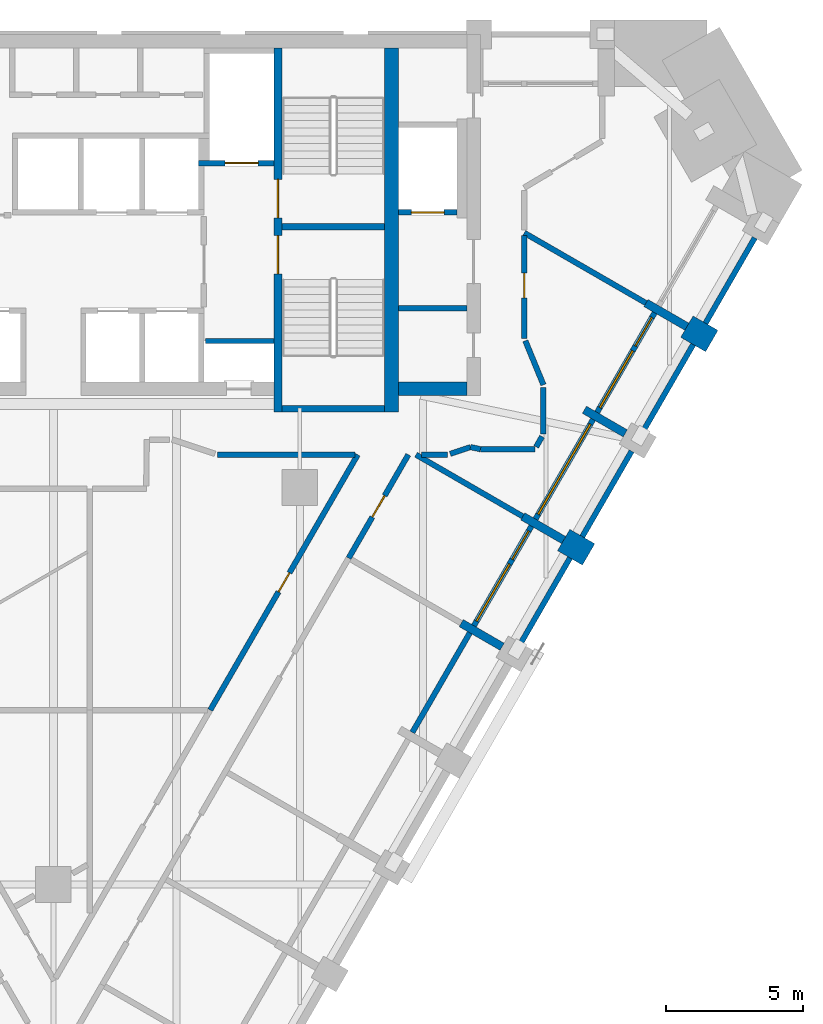
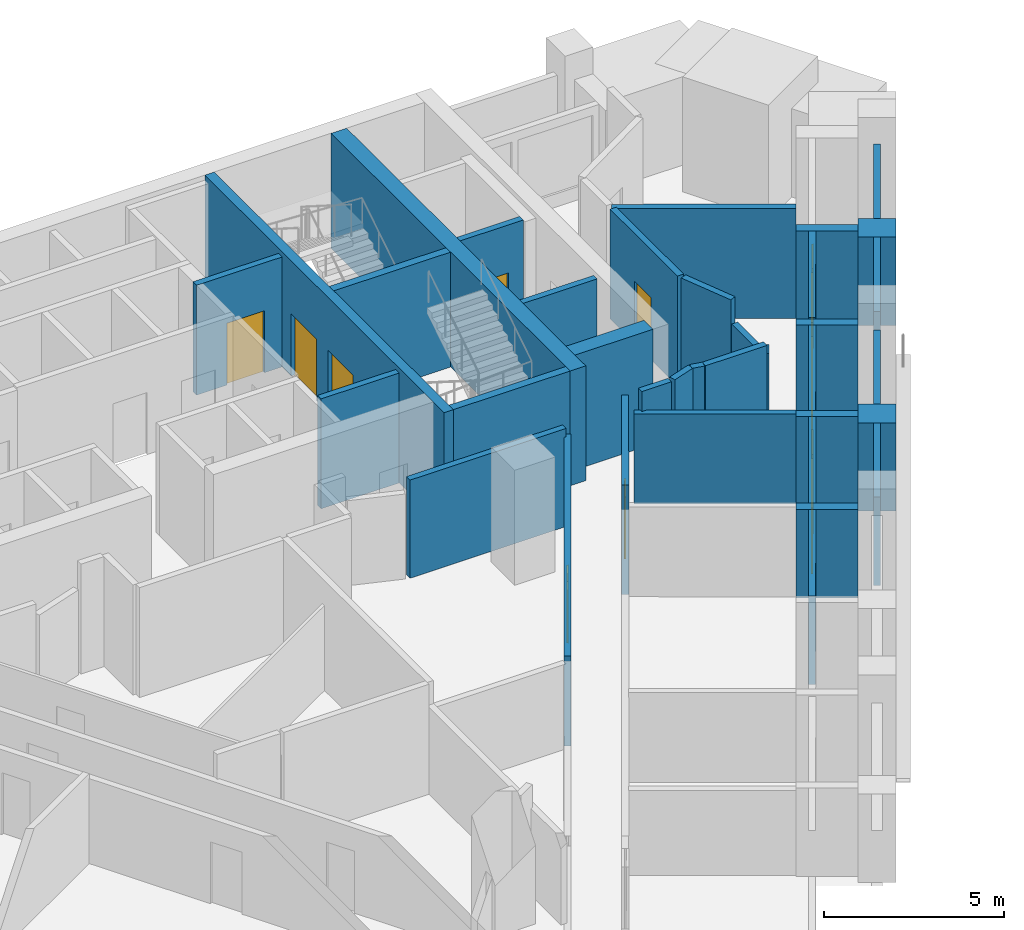
# One storey, part 7 of 10: 36 walls, 9 doors, 3 windows, 12 openings.
"""IFC4 building model written with IfcOpenShell, lengths in metres."""

from ifc_helpers import new_model, si_unit, direction, frame, frame_2d, origin, place, context, subcontext, project, spatial, polyline, rectangle, outline, extrude, material, layer, layer_set, type_object, element, fill, save


model = new_model("IFC4")

# Units and contexts
model_context = context("Model", 3, precision=1e-05, world=origin(), true_north=direction((0.0, 1.0)))
body_context = subcontext(model_context, "Body", "Model", "MODEL_VIEW")
ifc_project = project(units=[si_unit("LENGTHUNIT", "METRE"), si_unit("AREAUNIT", "SQUARE_METRE"), si_unit("VOLUMEUNIT", "CUBIC_METRE"), si_unit("PLANEANGLEUNIT", "RADIAN"), si_unit("MASSUNIT", "GRAM", prefix="KILO")], contexts=[model_context])

# Site, building, storey
site_placement = place(None, origin())
site = spatial("IfcSite", under=ifc_project, at=site_placement, CompositionType="ELEMENT")
building_placement = place(site_placement, origin())
building = spatial("IfcBuilding", under=site, at=building_placement, Name="Calabash Gate Tower", CompositionType="ELEMENT")
storey_placement = place(building_placement, frame((0.0, 0.0, 152.39990234375)))
storey = spatial("IfcBuildingStorey", under=building, at=storey_placement, Name="L35", CompositionType="ELEMENT", Elevation=152.39990234375)

# Walls
ifc_material_1 = material(Name="Terracotta brick masonry, exposed face", Category="masonry")
ifc_layer_1 = layer(ifc_material_1, 1.050048828125)
ifc_layer_set_1 = layer_set([ifc_layer_1], Name="Brick end wall 1050")
wall_type_1 = type_object("IfcWallType", Name="Brick end wall 1050", PredefinedType="SOLIDWALL", material=ifc_layer_set_1)
for number, where, z_axis, x_axis, name in (
    (1, (19.55029296875, 0.05615234375, 0.0), (0.0, 0.0, 1.0), (-0.865988129768, 0.500064554934, 0.0), "Brick pier S09 SE4.5"),
    (2, (23.140869140625, 8.37548828125, 0.0), (0.0, 0.0, 1.0), (0.866088799389, -0.499890179513, 0.0), "Brick pier S09 SE4.7"),
):
    element("IfcWall", number, at=place(storey_placement, frame(where, z_axis=z_axis, x_axis=x_axis)), inside=storey, type_object=wall_type_1, Name=name, PredefinedType="SOLIDWALL", context=body_context, shape_type="SweptSolid", body=[
        extrude(rectangle(XDim=1.050048828125, YDim=0.89990234375, at=frame_2d((0.52490234375, 0.0))), origin(), (0.0, 0.0, 1.0), 3.0),
    ])
ifc_material_2 = material(Name="Terracotta brick masonry, exposed face", Category="masonry")
ifc_layer_2 = layer(ifc_material_2, 0.300048828125)
ifc_layer_set_2 = layer_set([ifc_layer_2], Name="Brick loggia cheek wall 300")
wall_type_2 = type_object("IfcWallType", Name="Brick loggia cheek wall 300", PredefinedType="SOLIDWALL", material=ifc_layer_set_2)
for number, where, z_axis, x_axis, name in (
    (3, (16.390869140625, -3.31591796875, 0.0), (0.0, 0.0, 1.0), (-0.866013532718, 0.500020560727, 0.0), "Loggia cheek S09 SE4.4"),
    (4, (18.640869140625, 0.581298828125, 0.0), (0.0, 0.0, 1.0), (-0.866013532718, 0.500020560727, 0.0), "Loggia cheek S09 SE4.5"),
):
    element("IfcWall", number, at=place(storey_placement, frame(where, z_axis=z_axis, x_axis=x_axis)), inside=storey, type_object=wall_type_2, Name=name, PredefinedType="SOLIDWALL", context=body_context, shape_type="SweptSolid", body=[
        extrude(rectangle(XDim=1.72509765625, YDim=0.300048828125, at=frame_2d((0.862548828125, 0.0))), origin(), (0.0, 0.0, 1.0), 3.0),
    ])
wall_1_placement = place(storey_placement, frame((19.39697265625, 5.3408203125, 0.0), z_axis=(0.0, 0.0, 1.0), x_axis=(0.866013532718, -0.500020560727, 0.0)))
element("IfcWall", 5, at=wall_1_placement, inside=storey, type_object=wall_type_2, Name="Loggia cheek S09 SE4.6", PredefinedType="SOLIDWALL", context=body_context, shape_type="SweptSolid", body=[
    extrude(rectangle(XDim=1.72509765625, YDim=0.300048828125, at=frame_2d((0.862548828125, 0.0))), origin(), (0.0, 0.0, 1.0), 2.9501953125),
])
wall_2_placement = place(storey_placement, frame((23.140869140625, 8.37548828125, 0.0), z_axis=(0.0, 0.0, 1.0), x_axis=(-0.866013532718, 0.500020560727, 0.0)))
element("IfcWall", 6, at=wall_2_placement, inside=storey, type_object=wall_type_2, Name="Loggia cheek S09 SE4.7", PredefinedType="SOLIDWALL", context=body_context, shape_type="SweptSolid", body=[
    extrude(rectangle(XDim=1.72509765625, YDim=0.300048828125, at=frame_2d((0.862548828125, 0.0))), origin(), (0.0, 0.0, 1.0), 3.0),
])
ifc_material_3 = material(Name="Gypsum board on steel studs, mineral wool", Category="steel")
ifc_layer_3 = layer(ifc_material_3, 0.199951171875)
ifc_layer_set_3 = layer_set([ifc_layer_3], Name="Core partition 200 gypsum board")
wall_type_3 = type_object("IfcWallType", Name="Core partition 200 gypsum board", PredefinedType="PARTITIONING", material=ifc_layer_set_3)
wall_3_placement = place(storey_placement, frame((12.60009765625, 9.052490234375, 0.0), z_axis=(0.0, 0.0, 1.0), x_axis=(1.0, 0.0, 0.0)))
element("IfcWall", 7, at=wall_3_placement, inside=storey, type_object=wall_type_3, Name="Core partition", PredefinedType="PARTITIONING", context=body_context, shape_type="SweptSolid", body=[
    extrude(rectangle(XDim=2.5, YDim=0.199951171875, at=frame_2d((1.25, 0.0))), origin(), (0.0, 0.0, 1.0), 3.72998046875),
])
ifc_material_4 = material(Name="Concrete C70/85", Category="concrete")
ifc_layer_4 = layer(ifc_material_4, 0.25)
ifc_layer_set_4 = layer_set([ifc_layer_4], Name="Core wall 250 Concrete C70/85")
wall_type_4 = type_object("IfcWallType", Name="Core wall 250 Concrete C70/85", PredefinedType="SHEAR", material=ifc_layer_set_4)
for number, where, z_axis, x_axis, name in (
    (8, (8.35009765625, 12.027587890625, 0.0), (0.0, 0.0, 1.0), (1.0, 0.0, 0.0), "Core wall Z3-MIDE L35"),
    (9, (8.35009765625, 5.377685546875, 0.0), (0.0, 0.0, 1.0), (1.0, 0.0, 0.0), "Core wall Z3-SSE L35"),
):
    element("IfcWall", number, at=place(storey_placement, frame(where, z_axis=z_axis, x_axis=x_axis)), inside=storey, type_object=wall_type_4, Name=name, PredefinedType="SHEAR", context=body_context, shape_type="SweptSolid", body=[
        extrude(rectangle(XDim=3.75, YDim=0.25, at=frame_2d((1.875, 0.0))), origin(), (0.0, 0.0, 1.0), 3.900146484375),
    ])

# Wall, openings, doors
ifc_material_5 = material(Name="Concrete C70/85", Category="concrete")
ifc_layer_5 = layer(ifc_material_5, 0.300048828125)
ifc_layer_set_5 = layer_set([ifc_layer_5], Name="Core wall 300 Concrete C70/85")
wall_type_5 = type_object("IfcWallType", Name="Core wall 300 Concrete C70/85", PredefinedType="SHEAR", material=ifc_layer_set_5)
wall_4_placement = place(storey_placement, frame((8.199951171875, 5.252685546875, 0.0), z_axis=(0.0, 0.0, 1.0), x_axis=(0.0, 1.0, 0.0)))
wall_4 = element("IfcWall", 10, at=wall_4_placement, inside=storey, type_object=wall_type_5, Name="Core wall Z3-PARTE L35", PredefinedType="SHEAR", context=body_context, shape_type="SweptSolid", body=[
    extrude(rectangle(XDim=13.2998046875, YDim=0.300048828125, at=frame_2d((6.64990234375, 0.0))), origin(), (0.0, 0.0, 1.0), 3.900146484375),
])
opening_1_placement = place(wall_4_placement, frame((7.10009765625, 0.0, 0.0)))
opening_1 = element("IfcOpeningElement", 11, at=opening_1_placement, cuts=wall_4, Name="Opening O1-018", PredefinedType="OPENING", context=body_context, shape_type="SweptSolid", body=[
    extrude(rectangle(XDim=1.39990234375, YDim=2.10009765625, at=frame_2d((0.699951171875, 1.050048828125))), frame((0.0, 0.159912109375, 0.0), z_axis=(0.0, -1.0, 0.0), x_axis=(1.0, 0.0, 0.0)), (0.0, 0.0, 1.0), 0.320068359375),
])
opening_2_placement = place(wall_4_placement, frame((5.050048828125, 0.0, 0.0)))
opening_2 = element("IfcOpeningElement", 12, at=opening_2_placement, cuts=wall_4, Name="Opening O1-019", PredefinedType="OPENING", context=body_context, shape_type="SweptSolid", body=[
    extrude(rectangle(XDim=1.39990234375, YDim=2.10009765625, at=frame_2d((0.699951171875, 1.050048828125))), frame((0.0, 0.159912109375, 0.0), z_axis=(0.0, -1.0, 0.0), x_axis=(1.0, 0.0, 0.0)), (0.0, 0.0, 1.0), 0.320068359375),
])
ifc_material_6 = material(Name="Steel fire door set with fire-resisting glazing", Category="steel")
door_type_1 = type_object("IfcDoorType", Name="Fire door D05 1400x2100 FD90", OperationType="NOTDEFINED", PredefinedType="DOOR", material=ifc_material_6)
door_1_placement = place(opening_1_placement, origin())
door_1 = element("IfcDoor", 13, at=door_1_placement, inside=storey, type_object=door_type_1, Name="Exit stair door ST3", OperationType="SINGLE_SWING_RIGHT", OverallHeight=2.10009765625, OverallWidth=1.39990234375, PredefinedType="DOOR", context=body_context, shape_type="SweptSolid", body=[
    extrude(rectangle(XDim=1.39990234375, YDim=2.10009765625, at=frame_2d((0.699951171875, 1.050048828125))), frame((0.0, 0.02490234375, 0.0), z_axis=(0.0, -1.0, 0.0), x_axis=(1.0, 0.0, 0.0)), (0.0, 0.0, 1.0), 0.050048828125),
])
fill(opening_1, door_1)
door_2_placement = place(opening_2_placement, origin())
door_2 = element("IfcDoor", 14, at=door_2_placement, inside=storey, type_object=door_type_1, Name="Exit stair door ST4", OperationType="SINGLE_SWING_LEFT", OverallHeight=2.10009765625, OverallWidth=1.39990234375, PredefinedType="DOOR", context=body_context, shape_type="SweptSolid", body=[
    extrude(rectangle(XDim=1.39990234375, YDim=2.10009765625, at=frame_2d((0.699951171875, 1.050048828125))), frame((0.0, 0.02490234375, 0.0), z_axis=(0.0, -1.0, 0.0), x_axis=(1.0, 0.0, 0.0)), (0.0, 0.0, 1.0), 0.050048828125),
])
fill(opening_2, door_2)

# Walls
ifc_material_7 = material(Name="Concrete C70/85", Category="concrete")
ifc_layer_6 = layer(ifc_material_7, 0.5)
ifc_layer_set_6 = layer_set([ifc_layer_6], Name="Core wall 500 Concrete C70/85")
wall_type_6 = type_object("IfcWallType", Name="Core wall 500 Concrete C70/85", PredefinedType="SHEAR", material=ifc_layer_set_6)
wall_5_placement = place(storey_placement, frame((12.35009765625, 5.252685546875, 0.0), z_axis=(0.0, 0.0, 1.0), x_axis=(0.0, 1.0, 0.0)))
element("IfcWall", 15, at=wall_5_placement, inside=storey, type_object=wall_type_6, Name="Core wall Z3-COLE L35", PredefinedType="SHEAR", context=body_context, shape_type="SweptSolid", body=[
    extrude(rectangle(XDim=13.2998046875, YDim=0.5, at=frame_2d((6.64990234375, 0.0))), origin(), (0.0, 0.0, 1.0), 3.900146484375),
])
wall_6_placement = place(storey_placement, frame((12.60009765625, 6.1025390625, 0.0), z_axis=(0.0, 0.0, 1.0), x_axis=(1.0, 0.0, 0.0)))
element("IfcWall", 16, at=wall_6_placement, inside=storey, type_object=wall_type_6, Name="Core wall Z3-SE L35", PredefinedType="SHEAR", context=body_context, shape_type="SweptSolid", body=[
    extrude(rectangle(XDim=2.5, YDim=0.5, at=frame_2d((1.25, 0.0))), origin(), (0.0, 0.0, 1.0), 3.900146484375),
])

# Wall, opening, door
ifc_material_8 = material(Name="Gypsum board on steel studs, mineral wool", Category="steel")
ifc_layer_7 = layer(ifc_material_8, 0.199951171875)
ifc_layer_set_7 = layer_set([ifc_layer_7], Name="Partition 200 gypsum board EI 60")
wall_type_7 = type_object("IfcWallType", Name="Partition 200 gypsum board EI 60", PredefinedType="PARTITIONING", material=ifc_layer_set_7)
wall_7_placement = place(storey_placement, frame((5.72900390625, -5.62890625, 0.0), z_axis=(0.0, 0.0, 1.0), x_axis=(0.500143553768, 0.865942507113, 0.0)))
wall_7 = element("IfcWall", 17, at=wall_7_placement, inside=storey, type_object=wall_type_7, Name="Partition", PredefinedType="PARTITIONING", context=body_context, shape_type="SweptSolid", body=[
    extrude(rectangle(XDim=10.772705078125, YDim=0.199951171875, at=frame_2d((5.38623046875, 0.0))), origin(), (0.0, 0.0, 1.0), 3.052001953125),
])
opening_3_placement = place(wall_7_placement, frame((4.987060546875, 0.0, 0.0)))
opening_3 = element("IfcOpeningElement", 18, at=opening_3_placement, cuts=wall_7, Name="Opening 33-35-008", PredefinedType="OPENING", context=body_context, shape_type="SweptSolid", body=[
    extrude(rectangle(XDim=0.800048828125, YDim=2.10009765625, at=frame_2d((0.39990234375, 1.050048828125))), frame((0.0, 0.10986328125, 0.0), z_axis=(0.0, -1.0, 0.0), x_axis=(1.0, 0.0, 0.0)), (0.0, 0.0, 1.0), 0.219970703125),
])
ifc_material_9 = material(Name="Steel fire door set with fire-resisting glazing", Category="steel")
door_type_2 = type_object("IfcDoorType", Name="SD2 Riser access door 800x2100", OperationType="NOTDEFINED", PredefinedType="DOOR", material=ifc_material_9)
door_3_placement = place(opening_3_placement, origin())
door_3 = element("IfcDoor", 19, at=door_3_placement, inside=storey, type_object=door_type_2, Name="Riser access door", OperationType="SINGLE_SWING_RIGHT", OverallHeight=2.10009765625, OverallWidth=0.800048828125, PredefinedType="DOOR", context=body_context, shape_type="SweptSolid", body=[
    extrude(rectangle(XDim=0.800048828125, YDim=2.10009765625, at=frame_2d((0.39990234375, 1.050048828125))), frame((0.0, 0.02490234375, 0.0), z_axis=(0.0, -1.0, 0.0), x_axis=(1.0, 0.0, 0.0)), (0.0, 0.0, 1.0), 0.050048828125),
])
fill(opening_3, door_3)

# Wall
wall_8_placement = place(storey_placement, frame((6.0, 3.69970703125, 0.0), z_axis=(0.0, 0.0, 1.0), x_axis=(1.0, 0.0, 0.0)))
element("IfcWall", 20, at=wall_8_placement, inside=storey, type_object=wall_type_7, Name="Partition", PredefinedType="PARTITIONING", context=body_context, shape_type="SweptSolid", body=[
    extrude(rectangle(XDim=5.016845703125, YDim=0.199951171875, at=frame_2d((2.50830078125, 0.0))), origin(), (0.0, 0.0, 1.0), 3.331787109375),
])

# Wall, opening, door
wall_9_placement = place(storey_placement, frame((10.7861328125, -0.07763671875, 0.0), z_axis=(0.0, 0.0, 1.0), x_axis=(0.499631976044, 0.866237778277, 0.0)))
wall_9 = element("IfcWall", 21, at=wall_9_placement, inside=storey, type_object=wall_type_7, Name="Partition", PredefinedType="PARTITIONING", context=body_context, shape_type="SweptSolid", body=[
    extrude(rectangle(XDim=4.360595703125, YDim=0.199951171875, at=frame_2d((2.18017578125, 0.0))), origin(), (0.0, 0.0, 1.0), 3.72998046875),
])
opening_4_placement = place(wall_9_placement, frame((1.7294921875, 0.0, 0.0)))
opening_4 = element("IfcOpeningElement", 22, at=opening_4_placement, cuts=wall_9, Name="Opening 33-35-007", PredefinedType="OPENING", context=body_context, shape_type="SweptSolid", body=[
    extrude(rectangle(XDim=0.89990234375, YDim=2.10009765625, at=frame_2d((0.449951171875, 1.050048828125))), frame((0.0, 0.10986328125, 0.0), z_axis=(0.0, -1.0, 0.0), x_axis=(1.0, 0.0, 0.0)), (0.0, 0.0, 1.0), 0.219970703125),
])
ifc_material_10 = material(Name="Steel fire door set with fire-resisting glazing", Category="steel")
door_type_3 = type_object("IfcDoorType", Name="SD3 Store door 900x2100", OperationType="NOTDEFINED", PredefinedType="DOOR", material=ifc_material_10)
door_4_placement = place(opening_4_placement, origin())
door_4 = element("IfcDoor", 23, at=door_4_placement, inside=storey, type_object=door_type_3, Name="Store door", OperationType="SINGLE_SWING_RIGHT", OverallHeight=2.10009765625, OverallWidth=0.89990234375, PredefinedType="DOOR", context=body_context, shape_type="SweptSolid", body=[
    extrude(rectangle(XDim=0.89990234375, YDim=2.10009765625, at=frame_2d((0.449951171875, 1.050048828125))), frame((0.0, 0.02490234375, 0.0), z_axis=(0.0, -1.0, 0.0), x_axis=(1.0, 0.0, 0.0)), (0.0, 0.0, 1.0), 0.050048828125),
])
fill(opening_4, door_4)

# Walls
wall_10_placement = place(storey_placement, frame((13.24658203125, 3.697998046875, 0.0), z_axis=(0.0, 0.0, 1.0), x_axis=(0.865845249199, -0.500311907154, 0.0)))
element("IfcWall", 24, at=wall_10_placement, inside=storey, type_object=wall_type_7, Name="Partition", PredefinedType="PARTITIONING", context=body_context, shape_type="SweptSolid", body=[
    extrude(rectangle(XDim=4.5048828125, YDim=0.199951171875, at=frame_2d((2.25244140625, 0.0))), origin(), (0.0, 0.0, 1.0), 3.052001953125),
])
wall_11_placement = place(storey_placement, frame((13.44580078125, 3.6982421875, 0.0), z_axis=(0.0, 0.0, 1.0), x_axis=(0.999999181535, 0.00127942577, 0.0)))
element("IfcWall", 25, at=wall_11_placement, inside=storey, type_object=wall_type_7, Name="Partition", PredefinedType="PARTITIONING", context=body_context, shape_type="SweptSolid", body=[
    extrude(rectangle(XDim=0.9541015625, YDim=0.199951171875, at=frame_2d((0.47705078125, 0.0))), origin(), (0.0, 0.0, 1.0), 3.72998046875),
])
wall_12_placement = place(storey_placement, frame((15.233642578125, 3.977294921875, 0.0), z_axis=(0.0, 0.0, 1.0), x_axis=(0.978153882022, -0.207882137485, 0.0)))
element("IfcWall", 26, at=wall_12_placement, inside=storey, type_object=wall_type_7, Name="Partition", PredefinedType="PARTITIONING", context=body_context, shape_type="SweptSolid", body=[
    extrude(rectangle(XDim=0.374755859375, YDim=0.199951171875, at=frame_2d((0.1875, 0.0))), origin(), (0.0, 0.0, 1.0), 3.72998046875),
])
wall_13_placement = place(storey_placement, frame((15.60009765625, 3.8994140625, 0.0), z_axis=(0.0, 0.0, 1.0), x_axis=(1.0, 0.0, 0.0)))
element("IfcWall", 27, at=wall_13_placement, inside=storey, type_object=wall_type_7, Name="Partition", PredefinedType="PARTITIONING", context=body_context, shape_type="SweptSolid", body=[
    extrude(rectangle(XDim=1.983642578125, YDim=0.199951171875, at=frame_2d((0.99169921875, 0.0))), origin(), (0.0, 0.0, 1.0), 3.72998046875),
])
wall_14_placement = place(storey_placement, frame((14.494873046875, 3.731201171875, 0.0), z_axis=(0.0, 0.0, 1.0), x_axis=(0.948745985677, 0.316039640966, 0.0)))
element("IfcWall", 28, at=wall_14_placement, inside=storey, type_object=wall_type_7, Name="Partition", PredefinedType="PARTITIONING", context=body_context, shape_type="SweptSolid", body=[
    extrude(rectangle(XDim=0.778564453125, YDim=0.199951171875, at=frame_2d((0.38916015625, 0.0))), origin(), (0.0, 0.0, 1.0), 3.72998046875),
])
wall_15_placement = place(storey_placement, frame((17.6337890625, 3.986083984375, 0.0), z_axis=(0.0, 0.0, 1.0), x_axis=(0.500258826225, 0.865875918815, 0.0)))
element("IfcWall", 29, at=wall_15_placement, inside=storey, type_object=wall_type_7, Name="Partition", PredefinedType="PARTITIONING", context=body_context, shape_type="SweptSolid", body=[
    extrude(rectangle(XDim=0.433349609375, YDim=0.199951171875, at=frame_2d((0.216796875, 0.0))), origin(), (0.0, 0.0, 1.0), 3.331787109375),
])
wall_16_placement = place(storey_placement, frame((17.900390625, 4.447998046875, 0.0), z_axis=(0.0, 0.0, 1.0), x_axis=(0.0, 1.0, 0.0)))
element("IfcWall", 30, at=wall_16_placement, inside=storey, type_object=wall_type_7, Name="Partition", PredefinedType="PARTITIONING", context=body_context, shape_type="SweptSolid", body=[
    extrude(rectangle(XDim=1.70458984375, YDim=0.199951171875, at=frame_2d((0.852294921875, 0.0))), origin(), (0.0, 0.0, 1.0), 2.9501953125),
])
wall_17_placement = place(storey_placement, frame((17.238525390625, 7.860107421875, 0.0), z_axis=(0.0, 0.0, 1.0), x_axis=(0.380742741509, -0.924681007044, 0.0)))
element("IfcWall", 31, at=wall_17_placement, inside=storey, type_object=wall_type_7, Name="Partition", PredefinedType="PARTITIONING", context=body_context, shape_type="SweptSolid", body=[
    extrude(rectangle(XDim=1.73828125, YDim=0.199951171875, at=frame_2d((0.869140625, 0.0))), origin(), (0.0, 0.0, 1.0), 3.72998046875),
])
wall_18_placement = place(storey_placement, frame((17.201904296875, 11.802001953125, 0.0), z_axis=(0.0, 0.0, 1.0), x_axis=(0.866206970465, -0.499685385335, 0.0)))
element("IfcWall", 32, at=wall_18_placement, inside=storey, type_object=wall_type_7, Name="Partition", PredefinedType="PARTITIONING", context=body_context, shape_type="SweptSolid", body=[
    extrude(rectangle(XDim=5.131591796875, YDim=0.199951171875, at=frame_2d((2.56591796875, 0.0))), origin(), (0.0, 0.0, 1.0), 3.72998046875),
])

# Wall, opening, door
wall_19_placement = place(storey_placement, frame((17.200439453125, 7.95263671875, 0.0), z_axis=(0.0, 0.0, 1.0), x_axis=(0.000390701279, 0.999999923676, 0.0)))
wall_19 = element("IfcWall", 33, at=wall_19_placement, inside=storey, type_object=wall_type_7, Name="Partition", PredefinedType="PARTITIONING", context=body_context, shape_type="SweptSolid", body=[
    extrude(rectangle(XDim=3.749267578125, YDim=0.199951171875, at=frame_2d((1.87451171875, 0.0))), origin(), (0.0, 0.0, 1.0), 3.72998046875),
])
opening_5_placement = place(wall_19_placement, frame((1.47607421875, 0.0, 0.0)))
opening_5 = element("IfcOpeningElement", 34, at=opening_5_placement, cuts=wall_19, Name="Opening 33-35-015", PredefinedType="OPENING", context=body_context, shape_type="SweptSolid", body=[
    extrude(rectangle(XDim=0.89990234375, YDim=2.10009765625, at=frame_2d((0.449951171875, 1.050048828125))), frame((0.0, 0.10986328125, 0.0), z_axis=(0.0, -1.0, 0.0), x_axis=(1.0, 0.0, 0.0)), (0.0, 0.0, 1.0), 0.219970703125),
])
door_5_placement = place(opening_5_placement, origin())
door_5 = element("IfcDoor", 35, at=door_5_placement, inside=storey, type_object=door_type_3, Name="Store door", OperationType="SINGLE_SWING_LEFT", OverallHeight=2.10009765625, OverallWidth=0.89990234375, PredefinedType="DOOR", context=body_context, shape_type="SweptSolid", body=[
    extrude(rectangle(XDim=0.89990234375, YDim=2.10009765625, at=frame_2d((0.449951171875, 1.050048828125))), frame((0.0, 0.02490234375, 0.0), z_axis=(0.0, -1.0, 0.0), x_axis=(1.0, 0.0, 0.0)), (0.0, 0.0, 1.0), 0.050048828125),
])
fill(opening_5, door_5)

# Wall
ifc_material_11 = material(Name="Concrete C40/50", Category="concrete")
ifc_layer_8 = layer(ifc_material_11, 0.199951171875)
ifc_layer_set_8 = layer_set([ifc_layer_8], Name="Shaft wall 200 Concrete C40/50")
wall_type_8 = type_object("IfcWallType", Name="Shaft wall 200 Concrete C40/50", PredefinedType="SOLIDWALL", material=ifc_layer_set_8)
wall_20_placement = place(storey_placement, frame((5.550048828125, 7.8525390625, 0.0), z_axis=(0.0, 0.0, 1.0), x_axis=(1.0, 0.0, 0.0)))
element("IfcWall", 36, at=wall_20_placement, inside=storey, type_object=wall_type_8, Name="Shaft wall", PredefinedType="SOLIDWALL", context=body_context, shape_type="SweptSolid", body=[
    extrude(rectangle(XDim=2.5, YDim=0.199951171875, at=frame_2d((1.25, 0.0))), origin(), (0.0, 0.0, 1.0), 3.72998046875),
])

# Wall, opening, door
wall_21_placement = place(storey_placement, frame((12.60009765625, 12.552490234375, 0.0), z_axis=(0.0, 0.0, 1.0), x_axis=(1.0, 0.0, 0.0)))
wall_21 = element("IfcWall", 37, at=wall_21_placement, inside=storey, type_object=wall_type_8, Name="Shaft wall", PredefinedType="SOLIDWALL", context=body_context, shape_type="SweptSolid", body=[
    extrude(rectangle(XDim=2.14990234375, YDim=0.199951171875, at=frame_2d((1.074951171875, 0.0))), origin(), (0.0, 0.0, 1.0), 3.72998046875),
])
opening_6_placement = place(wall_21_placement, frame((0.47509765625, 0.0, 0.0)))
opening_6 = element("IfcOpeningElement", 38, at=opening_6_placement, cuts=wall_21, Name="Opening LD-SL1", PredefinedType="OPENING", context=body_context, shape_type="SweptSolid", body=[
    extrude(rectangle(XDim=1.199951171875, YDim=2.10009765625, at=frame_2d((0.60009765625, 1.050048828125))), frame((0.0, 0.10986328125, 0.0), z_axis=(0.0, -1.0, 0.0), x_axis=(1.0, 0.0, 0.0)), (0.0, 0.0, 1.0), 0.219970703125),
])
ifc_material_12 = material(Name="Stainless steel sliding door leaves", Category="steel")
door_type_4 = type_object("IfcDoorType", Name="Lift landing door LS3 1200x2100 FD90", OperationType="DOUBLE_DOOR_SLIDING", PredefinedType="DOOR", material=ifc_material_12)
door_6_placement = place(opening_6_placement, origin())
door_6 = element("IfcDoor", 39, at=door_6_placement, inside=storey, type_object=door_type_4, Name="Lift landing door SL1", OperationType="DOUBLE_DOOR_SLIDING", OverallHeight=2.10009765625, OverallWidth=1.199951171875, PredefinedType="DOOR", context=body_context, shape_type="SweptSolid", body=[
    extrude(rectangle(XDim=1.199951171875, YDim=2.10009765625, at=frame_2d((0.60009765625, 1.050048828125))), frame((0.0, 0.02490234375, 0.0), z_axis=(0.0, -1.0, 0.0), x_axis=(1.0, 0.0, 0.0)), (0.0, 0.0, 1.0), 0.050048828125),
])
fill(opening_6, door_6)

wall_22_placement = place(storey_placement, frame((5.300048828125, 14.3525390625, 0.0), z_axis=(0.0, 0.0, 1.0), x_axis=(1.0, 0.0, 0.0)))
wall_22 = element("IfcWall", 40, at=wall_22_placement, inside=storey, type_object=wall_type_8, Name="Shaft wall", PredefinedType="SOLIDWALL", context=body_context, shape_type="SweptSolid", body=[
    extrude(rectangle(XDim=2.75, YDim=0.199951171875, at=frame_2d((1.375, 0.0))), origin(), (0.0, 0.0, 1.0), 3.72998046875),
])
opening_7_placement = place(wall_22_placement, frame((0.97509765625, 0.0, 0.0)))
opening_7 = element("IfcOpeningElement", 41, at=opening_7_placement, cuts=wall_22, Name="Opening LD-FF2", PredefinedType="OPENING", context=body_context, shape_type="SweptSolid", body=[
    extrude(rectangle(XDim=1.199951171875, YDim=2.10009765625, at=frame_2d((0.60009765625, 1.050048828125))), frame((0.0, 0.10986328125, 0.0), z_axis=(0.0, -1.0, 0.0), x_axis=(1.0, 0.0, 0.0)), (0.0, 0.0, 1.0), 0.219970703125),
])
door_7_placement = place(opening_7_placement, origin())
door_7 = element("IfcDoor", 42, at=door_7_placement, inside=storey, type_object=door_type_4, Name="Lift landing door FF2", OperationType="DOUBLE_DOOR_SLIDING", OverallHeight=2.10009765625, OverallWidth=1.199951171875, PredefinedType="DOOR", context=body_context, shape_type="SweptSolid", body=[
    extrude(rectangle(XDim=1.199951171875, YDim=2.10009765625, at=frame_2d((0.60009765625, 1.050048828125))), frame((0.0, 0.02490234375, 0.0), z_axis=(0.0, -1.0, 0.0), x_axis=(1.0, 0.0, 0.0)), (0.0, 0.0, 1.0), 0.050048828125),
])
fill(opening_7, door_7)

# Walls
ifc_material_13 = material(Name="Terracotta brick masonry, perforated", Category="masonry")
ifc_layer_9 = layer(ifc_material_13, 0.199951171875)
ifc_layer_set_9 = layer_set([ifc_layer_9], Name="Terracotta jaali screen A")
wall_type_9 = type_object("IfcWallType", Name="Terracotta jaali screen A", PredefinedType="SOLIDWALL", material=ifc_layer_set_9)
wall_23_placement = place(storey_placement, origin())
element("IfcWall", 43, at=wall_23_placement, inside=storey, type_object=wall_type_9, Name="SCREEN A S09 SE4.5", PredefinedType="SOLIDWALL", context=body_context, shape_type="SweptSolid", body=[
    extrude(outline(polyline([(18.783935546875, -0.02099609375), (16.984130859375, -3.13818359375), (17.157470703125, -3.23828125), (18.95703125, -0.120849609375), (18.783935546875, -0.02099609375)])), origin(), (0.0, 0.0, 1.0), 3.0),
])
for number, where, z_axis, x_axis, name in (
    (44, (19.320556640625, 0.70849609375, 0.0), (0.0, 0.0, 1.0), (0.500012057535, 0.866018442252, 0.0), "SCREEN A S09 SE4.6"),
    (45, (21.570556640625, 4.60546875, 0.0), (0.0, 0.0, 1.0), (0.500012057535, 0.866018442252, 0.0), "SCREEN A S09 SE4.7"),
    (46, (23.820556640625, 8.502685546875, 0.0), (0.0, 0.0, 1.0), (0.500012057535, 0.866018442252, 0.0), "SCREEN A S09 SE4.8"),
):
    element("IfcWall", number, at=place(storey_placement, frame(where, z_axis=z_axis, x_axis=x_axis)), inside=storey, type_object=wall_type_9, Name=name, PredefinedType="SOLIDWALL", context=body_context, shape_type="SweptSolid", body=[
        extrude(rectangle(XDim=3.60009765625, YDim=0.199951171875, at=frame_2d((1.800048828125, 0.0))), origin(), (0.0, 0.0, 1.0), 3.0),
    ])
ifc_material_14 = material(Name="Aluminium framed window wall with insulated spandrel", Category="aluminium")
ifc_layer_10 = layer(ifc_material_14, 0.199951171875)
ifc_layer_set_10 = layer_set([ifc_layer_10], Name="Window wall 200")
wall_type_10 = type_object("IfcWallType", Name="Window wall 200", PredefinedType="ELEMENTEDWALL", material=ifc_layer_set_10)
wall_24_placement = place(storey_placement, frame((13.111572265625, -6.445556640625, 0.0), z_axis=(0.0, 0.0, 1.0), x_axis=(0.500027713859, 0.866009402589, 0.0)))
element("IfcWall", 47, at=wall_24_placement, inside=storey, type_object=wall_type_10, Name="Window wall S09 SE4.4", PredefinedType="ELEMENTEDWALL", context=body_context, shape_type="SweptSolid", body=[
    extrude(rectangle(XDim=4.199951171875, YDim=0.199951171875, at=frame_2d((2.10009765625, 0.0))), origin(), (0.0, 0.0, 1.0), 3.0),
])

# Wall, openings, door, window
wall_25_placement = place(storey_placement, frame((15.361572265625, -2.548583984375, 0.0), z_axis=(0.0, 0.0, 1.0), x_axis=(0.500002543286, 0.866023935413, 0.0)))
wall_25 = element("IfcWall", 48, at=wall_25_placement, inside=storey, type_object=wall_type_10, Name="Window wall S09 SE4.5", PredefinedType="ELEMENTEDWALL", context=body_context, shape_type="SweptSolid", body=[
    extrude(rectangle(XDim=4.2001953125, YDim=0.199951171875, at=frame_2d((2.10009765625, 0.0))), origin(), (0.0, 0.0, 1.0), 3.0),
])
opening_8_placement = place(wall_25_placement, frame((0.199951171875, 0.0, 0.449951171875)))
opening_8 = element("IfcOpeningElement", 49, at=opening_8_placement, cuts=wall_25, Name="Opening OW1", PredefinedType="OPENING", context=body_context, shape_type="SweptSolid", body=[
    extrude(rectangle(XDim=2.39990234375, YDim=2.25, at=frame_2d((1.199951171875, 1.125))), frame((0.0, 0.10986328125, 0.0), z_axis=(0.0, -1.0, 0.0), x_axis=(1.0, 0.0, 0.0)), (0.0, 0.0, 1.0), 0.219970703125),
])
opening_9_placement = place(wall_25_placement, frame((2.800048828125, 0.0, 0.0)))
opening_9 = element("IfcOpeningElement", 50, at=opening_9_placement, cuts=wall_25, Name="Opening O1-022", PredefinedType="OPENING", context=body_context, shape_type="SweptSolid", body=[
    extrude(rectangle(XDim=1.199951171875, YDim=2.699951171875, at=frame_2d((0.60009765625, 1.35009765625))), frame((0.0, 0.10986328125, 0.0), z_axis=(0.0, -1.0, 0.0), x_axis=(1.0, 0.0, 0.0)), (0.0, 0.0, 1.0), 0.219970703125),
])
ifc_material_15 = material(Name="Anodised aluminium frame, bronze finish, impact-rated laminated clear glazing", Category="aluminium")
door_type_5 = type_object("IfcDoorType", Name="Loggia door DO1 1200x2700", OperationType="SLIDING_TO_LEFT", PredefinedType="DOOR", material=ifc_material_15)
door_8_placement = place(opening_9_placement, origin())
door_8 = element("IfcDoor", 51, at=door_8_placement, inside=storey, type_object=door_type_5, Name="Loggia door S09 SE4.5", OperationType="SINGLE_SWING_LEFT", OverallHeight=2.699951171875, OverallWidth=1.199951171875, PredefinedType="DOOR", context=body_context, shape_type="SweptSolid", body=[
    extrude(rectangle(XDim=1.199951171875, YDim=2.699951171875, at=frame_2d((0.60009765625, 1.35009765625))), frame((0.0, 0.02490234375, 0.0), z_axis=(0.0, -1.0, 0.0), x_axis=(1.0, 0.0, 0.0)), (0.0, 0.0, 1.0), 0.050048828125),
])
fill(opening_9, door_8)
ifc_material_16 = material(Name="Anodised aluminium frame, bronze finish, impact-rated laminated clear glazing", Category="aluminium")
window_type_1 = type_object("IfcWindowType", Name="Window OW1 2400x2250", PartitioningType="DOUBLE_PANEL_VERTICAL", PredefinedType="WINDOW", material=ifc_material_16)
window_1_placement = place(opening_8_placement, origin())
window_1 = element("IfcWindow", 52, at=window_1_placement, inside=storey, type_object=window_type_1, Name="Window OW1 S09 SE4.5", OverallHeight=2.25, OverallWidth=2.39990234375, PartitioningType="SINGLE_PANEL", PredefinedType="WINDOW", context=body_context, shape_type="SweptSolid", body=[
    extrude(rectangle(XDim=2.39990234375, YDim=2.25, at=frame_2d((1.199951171875, 1.125))), frame((0.0, 0.030029296875, 0.0), z_axis=(0.0, -1.0, 0.0), x_axis=(1.0, 0.0, 0.0)), (0.0, 0.0, 1.0), 0.06005859375),
])
fill(opening_8, window_1)

# Wall, opening, window
wall_26_placement = place(storey_placement, frame((17.611572265625, 1.3486328125, 0.0), z_axis=(0.0, 0.0, 1.0), x_axis=(0.500027713859, 0.866009402589, 0.0)))
wall_26 = element("IfcWall", 53, at=wall_26_placement, inside=storey, type_object=wall_type_10, Name="Window wall S09 SE4.6", PredefinedType="ELEMENTEDWALL", context=body_context, shape_type="SweptSolid", body=[
    extrude(rectangle(XDim=4.199951171875, YDim=0.199951171875, at=frame_2d((2.10009765625, 0.0))), origin(), (0.0, 0.0, 1.0), 2.9501953125),
])
opening_10_placement = place(wall_26_placement, frame((0.199951171875, 0.0, 0.449951171875)))
opening_10 = element("IfcOpeningElement", 54, at=opening_10_placement, cuts=wall_26, Name="Opening OW2", PredefinedType="OPENING", context=body_context, shape_type="SweptSolid", body=[
    extrude(rectangle(XDim=3.800048828125, YDim=2.25, at=frame_2d((1.89990234375, 1.125))), frame((0.0, 0.10986328125, 0.0), z_axis=(0.0, -1.0, 0.0), x_axis=(1.0, 0.0, 0.0)), (0.0, 0.0, 1.0), 0.219970703125),
])
ifc_material_17 = material(Name="Anodised aluminium frame, bronze finish, impact-rated laminated clear glazing", Category="aluminium")
window_type_2 = type_object("IfcWindowType", Name="Window OW2 3800x2250", PartitioningType="TRIPLE_PANEL_VERTICAL", PredefinedType="WINDOW", material=ifc_material_17)
window_2_placement = place(opening_10_placement, origin())
window_2 = element("IfcWindow", 55, at=window_2_placement, inside=storey, type_object=window_type_2, Name="Window OW2 S09 SE4.6", OverallHeight=2.25, OverallWidth=3.800048828125, PartitioningType="SINGLE_PANEL", PredefinedType="WINDOW", context=body_context, shape_type="SweptSolid", body=[
    extrude(rectangle(XDim=3.800048828125, YDim=2.25, at=frame_2d((1.89990234375, 1.125))), frame((0.0, 0.030029296875, 0.0), z_axis=(0.0, -1.0, 0.0), x_axis=(1.0, 0.0, 0.0)), (0.0, 0.0, 1.0), 0.06005859375),
])
fill(opening_10, window_2)

# Wall, openings, door, window
wall_27_placement = place(storey_placement, frame((19.861572265625, 5.245849609375, 0.0), z_axis=(0.0, 0.0, 1.0), x_axis=(0.500027713859, 0.866009402589, 0.0)))
wall_27 = element("IfcWall", 56, at=wall_27_placement, inside=storey, type_object=wall_type_10, Name="Window wall S09 SE4.7", PredefinedType="ELEMENTEDWALL", context=body_context, shape_type="SweptSolid", body=[
    extrude(rectangle(XDim=4.199951171875, YDim=0.199951171875, at=frame_2d((2.10009765625, 0.0))), origin(), (0.0, 0.0, 1.0), 3.0),
])
opening_11_placement = place(wall_27_placement, frame((0.199951171875, 0.0, 0.449951171875)))
opening_11 = element("IfcOpeningElement", 57, at=opening_11_placement, cuts=wall_27, Name="Opening OW1", PredefinedType="OPENING", context=body_context, shape_type="SweptSolid", body=[
    extrude(rectangle(XDim=2.39990234375, YDim=2.25, at=frame_2d((1.199951171875, 1.125))), frame((0.0, 0.10986328125, 0.0), z_axis=(0.0, -1.0, 0.0), x_axis=(1.0, 0.0, 0.0)), (0.0, 0.0, 1.0), 0.219970703125),
])
opening_12_placement = place(wall_27_placement, frame((2.800048828125, 0.0, 0.0)))
opening_12 = element("IfcOpeningElement", 58, at=opening_12_placement, cuts=wall_27, Name="Opening O1-023", PredefinedType="OPENING", context=body_context, shape_type="SweptSolid", body=[
    extrude(rectangle(XDim=1.199951171875, YDim=2.699951171875, at=frame_2d((0.60009765625, 1.35009765625))), frame((0.0, 0.10986328125, 0.0), z_axis=(0.0, -1.0, 0.0), x_axis=(1.0, 0.0, 0.0)), (0.0, 0.0, 1.0), 0.219970703125),
])
door_9_placement = place(opening_12_placement, origin())
door_9 = element("IfcDoor", 59, at=door_9_placement, inside=storey, type_object=door_type_5, Name="Loggia door S09 SE4.7", OperationType="SINGLE_SWING_LEFT", OverallHeight=2.699951171875, OverallWidth=1.199951171875, PredefinedType="DOOR", context=body_context, shape_type="SweptSolid", body=[
    extrude(rectangle(XDim=1.199951171875, YDim=2.699951171875, at=frame_2d((0.60009765625, 1.35009765625))), frame((0.0, 0.02490234375, 0.0), z_axis=(0.0, -1.0, 0.0), x_axis=(1.0, 0.0, 0.0)), (0.0, 0.0, 1.0), 0.050048828125),
])
fill(opening_12, door_9)
window_3_placement = place(opening_11_placement, origin())
window_3 = element("IfcWindow", 60, at=window_3_placement, inside=storey, type_object=window_type_1, Name="Window OW1 S09 SE4.7", OverallHeight=2.25, OverallWidth=2.39990234375, PartitioningType="SINGLE_PANEL", PredefinedType="WINDOW", context=body_context, shape_type="SweptSolid", body=[
    extrude(rectangle(XDim=2.39990234375, YDim=2.25, at=frame_2d((1.199951171875, 1.125))), frame((0.0, 0.030029296875, 0.0), z_axis=(0.0, -1.0, 0.0), x_axis=(1.0, 0.0, 0.0)), (0.0, 0.0, 1.0), 0.06005859375),
])
fill(opening_11, window_3)

save(model, "model.ifc")
